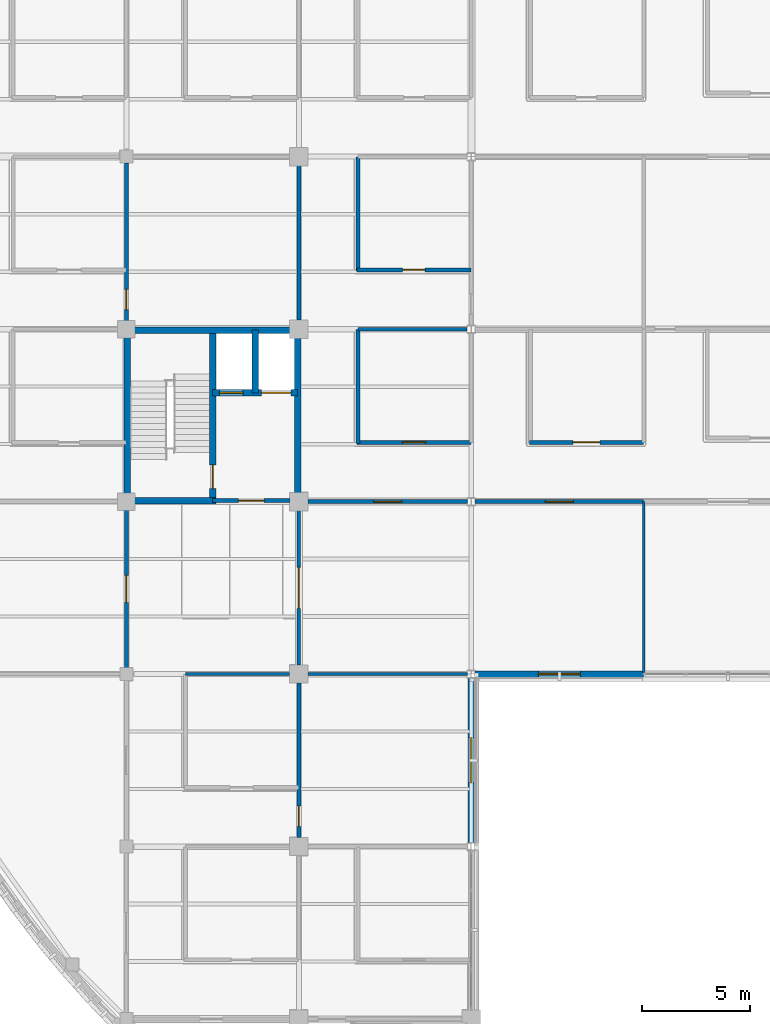
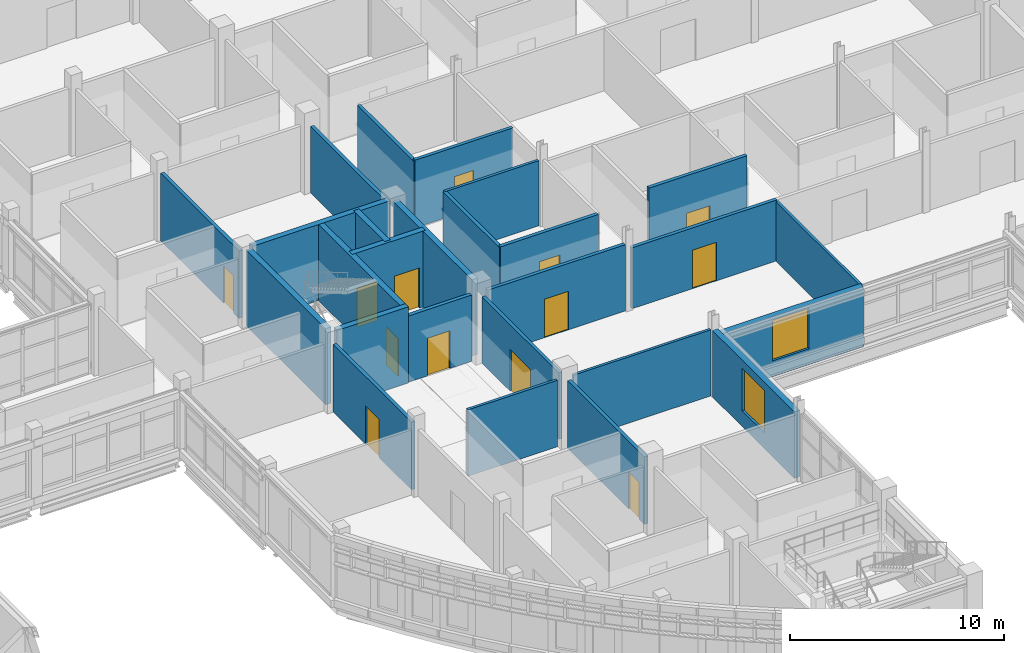
# One storey, part 82 of 121: 26 walls, 13 doors, 2 windows, 15 openings.
"""IFC4 building model written with IfcOpenShell, lengths in metres."""

from ifc_helpers import new_model, si_unit, derived_unit, direction, frame, frame_2d, origin, place, context, subcontext, project, spatial, rectangle, extrude, material, layer, layer_set, type_object, element, fill, save


model = new_model("IFC4")

# Units and contexts
model_context = context("Model", 3, precision=1e-05, world=origin(), true_north=direction((0.0, 1.0)))
body_context = subcontext(model_context, "Body", "Model", "MODEL_VIEW")
ifc_project = project(units=[si_unit("LENGTHUNIT", "METRE"), si_unit("AREAUNIT", "SQUARE_METRE"), si_unit("VOLUMEUNIT", "CUBIC_METRE"), si_unit("PLANEANGLEUNIT", "RADIAN"), si_unit("MASSUNIT", "GRAM", prefix="KILO"), derived_unit("THERMALTRANSMITTANCEUNIT", [(si_unit("MASSUNIT", "GRAM", prefix="KILO"), 1), (si_unit("TIMEUNIT", "SECOND"), -3), (si_unit("THERMODYNAMICTEMPERATUREUNIT", "KELVIN"), -1)])], contexts=[model_context])

# Site, building, storey
site_placement = place(None, origin())
site = spatial("IfcSite", under=ifc_project, at=site_placement, CompositionType="ELEMENT")
building_placement = place(site_placement, origin())
building = spatial("IfcBuilding", under=site, at=building_placement, Name="Veyamyaing Civic Hall", CompositionType="ELEMENT")
storey_placement = place(building_placement, frame((0.0, 0.0, 5.280029296875)))
storey = spatial("IfcBuildingStorey", under=building, at=storey_placement, Name="L01", CompositionType="ELEMENT", Elevation=5.280029296875)

# Wall, opening, window
ifc_material_1 = material(Name="Precast concrete C40/50", Category="concrete")
ifc_layer_1 = layer(ifc_material_1, 0.304931640625, Name="Precast concrete C40/50")
ifc_layer_set_1 = layer_set([ifc_layer_1], Name="Precast concrete C40/50")
wall_type_1 = type_object("IfcWallType", Name="WT-03", PredefinedType="SOLIDWALL", material=ifc_layer_set_1)
wall_1_placement = place(storey_placement, frame((80.0, 32.1708984375, 0.0), z_axis=(0.0, 0.0, 1.0), x_axis=(0.0, 1.0, 0.0)))
wall_1 = element("IfcWall", 1, at=wall_1_placement, inside=storey, type_object=wall_type_1, Name="Exterior facade wall WT-03 L01 E 10.5", PredefinedType="SOLIDWALL", context=body_context, shape_type="SweptSolid", body=[
    extrude(rectangle(XDim=7.658203125, YDim=0.304931640625, at=frame_2d((3.8291015625, 0.0))), origin(), (0.0, 0.0, 1.0), 3.7880859375),
])
opening_1_placement = place(wall_1_placement, frame((2.779052734375, 0.0, 0.89990234375)))
opening_1 = element("IfcOpeningElement", 2, at=opening_1_placement, cuts=wall_1, Name="Opening W-05", PredefinedType="OPENING", context=body_context, shape_type="SweptSolid", body=[
    extrude(rectangle(XDim=2.10009765625, YDim=2.39990234375, at=frame_2d((1.050048828125, 1.199951171875))), frame((0.0, 0.162353515625, 0.0), z_axis=(0.0, -1.0, 0.0), x_axis=(1.0, 0.0, 0.0)), (0.0, 0.0, 1.0), 0.324951171875),
])
ifc_material_2 = material(Name="Low-E insulated glass", Category="glass")
window_type_1 = type_object("IfcWindowType", Name="W-05", PartitioningType="SINGLE_PANEL", PredefinedType="WINDOW", material=ifc_material_2)
window_1_placement = place(opening_1_placement, origin())
window_1 = element("IfcWindow", 3, at=window_1_placement, inside=storey, type_object=window_type_1, Name="Facade window W-05 L01 E 10.5", OverallHeight=2.39990234375, OverallWidth=2.10009765625, PartitioningType="SINGLE_PANEL", PredefinedType="WINDOW", context=body_context, shape_type="SweptSolid", body=[
    extrude(rectangle(XDim=2.10009765625, YDim=2.39990234375, at=frame_2d((1.050048828125, 1.199951171875))), frame((0.0, 0.030029296875, 0.0), z_axis=(0.0, -1.0, 0.0), x_axis=(1.0, 0.0, 0.0)), (0.0, 0.0, 1.0), 0.06005859375),
])
fill(opening_1, window_1)

wall_2_placement = place(storey_placement, frame((80.172119140625, 40.0, 0.0), z_axis=(0.0, 0.0, 1.0), x_axis=(1.0, 0.0, 0.0)))
wall_2 = element("IfcWall", 4, at=wall_2_placement, inside=storey, type_object=wall_type_1, Name="Exterior facade wall WT-03 L01 S 11.6", PredefinedType="SOLIDWALL", context=body_context, shape_type="SweptSolid", body=[
    extrude(rectangle(XDim=7.827880859375, YDim=0.304931640625, at=frame_2d((3.9140625, 0.0))), origin(), (0.0, 0.0, 1.0), 3.404052734375),
])
opening_2_placement = place(wall_2_placement, frame((2.93896484375, 0.0, 0.89990234375)))
opening_2 = element("IfcOpeningElement", 5, at=opening_2_placement, cuts=wall_2, Name="Opening W-33", PredefinedType="OPENING", context=body_context, shape_type="SweptSolid", body=[
    extrude(rectangle(XDim=1.949951171875, YDim=2.303955078125, at=frame_2d((0.97509765625, 1.15185546875))), frame((0.0, 0.162353515625, 0.0), z_axis=(0.0, -1.0, 0.0), x_axis=(1.0, 0.0, 0.0)), (0.0, 0.0, 1.0), 0.324951171875),
])
window_type_2 = type_object("IfcWindowType", Name="W-33", PartitioningType="SINGLE_PANEL", PredefinedType="WINDOW", material=ifc_material_2)
window_2_placement = place(opening_2_placement, origin())
window_2 = element("IfcWindow", 6, at=window_2_placement, inside=storey, type_object=window_type_2, Name="Facade window W-33 L01 S 11.6", OverallHeight=2.303955078125, OverallWidth=1.949951171875, PartitioningType="SINGLE_PANEL", PredefinedType="WINDOW", context=body_context, shape_type="SweptSolid", body=[
    extrude(rectangle(XDim=1.949951171875, YDim=2.303955078125, at=frame_2d((0.97509765625, 1.15185546875))), frame((0.0, 0.030029296875, 0.0), z_axis=(0.0, -1.0, 0.0), x_axis=(1.0, 0.0, 0.0)), (0.0, 0.0, 1.0), 0.06005859375),
])
fill(opening_2, window_2)

# Walls
ifc_material_3 = material(Name="Concrete C40/50", Category="concrete")
ifc_layer_2 = layer(ifc_material_3, 0.300048828125, Name="Concrete C40/50")
ifc_layer_set_2 = layer_set([ifc_layer_2], Name="Concrete C40/50")
wall_type_2 = type_object("IfcWallType", Name="WT-05", PredefinedType="SHEAR", material=ifc_layer_set_2)
wall_3_placement = place(storey_placement, frame((64.050048828125, 48.2900390625, 0.0), z_axis=(0.0, 0.0, 1.0), x_axis=(0.0, 1.0, 0.0)))
element("IfcWall", 7, at=wall_3_placement, inside=storey, type_object=wall_type_2, Name="Core shear wall WT-05 CORE-5 L01.W", PredefinedType="SHEAR", context=body_context, shape_type="SweptSolid", body=[
    extrude(rectangle(XDim=7.419921875, YDim=0.300048828125, at=frame_2d((3.7099609375, 0.0))), origin(), (0.0, 0.0, 1.0), 4.3349609375),
])
wall_4_placement = place(storey_placement, frame((64.2900390625, 55.949951171875, 0.0), z_axis=(0.0, 0.0, 1.0), x_axis=(1.0, 0.0, 0.0)))
element("IfcWall", 8, at=wall_4_placement, inside=storey, type_object=wall_type_2, Name="Core shear wall WT-05 CORE-5 L01.N", PredefinedType="SHEAR", context=body_context, shape_type="SweptSolid", body=[
    extrude(rectangle(XDim=7.39501953125, YDim=0.300048828125, at=frame_2d((3.697509765625, 0.0))), origin(), (0.0, 0.0, 1.0), 4.3349609375),
])
wall_5_placement = place(storey_placement, frame((71.949951171875, 48.31494140625, 0.0), z_axis=(0.0, 0.0, 1.0), x_axis=(0.0, 1.0, 0.0)))
element("IfcWall", 9, at=wall_5_placement, inside=storey, type_object=wall_type_2, Name="Core shear wall WT-05 CORE-5 L01.E", PredefinedType="SHEAR", context=body_context, shape_type="SweptSolid", body=[
    extrude(rectangle(XDim=7.3701171875, YDim=0.300048828125, at=frame_2d((3.68505859375, 0.0))), origin(), (0.0, 0.0, 1.0), 4.3349609375),
])
wall_6_placement = place(storey_placement, frame((64.2900390625, 48.050048828125, 0.0), z_axis=(0.0, 0.0, 1.0), x_axis=(1.0, 0.0, 0.0)))
element("IfcWall", 10, at=wall_6_placement, inside=storey, type_object=wall_type_2, Name="Core shear wall WT-05 CORE-5 L01.SS", PredefinedType="SHEAR", context=body_context, shape_type="SweptSolid", body=[
    extrude(rectangle(XDim=3.85986328125, YDim=0.300048828125, at=frame_2d((1.929931640625, 0.0))), origin(), (0.0, 0.0, 1.0), 4.3349609375),
])

# Wall, opening, door
wall_7_placement = place(storey_placement, frame((68.0, 48.050048828125, 0.0), z_axis=(0.0, 0.0, 1.0), x_axis=(0.0, 1.0, 0.0)))
wall_7 = element("IfcWall", 11, at=wall_7_placement, inside=storey, type_object=wall_type_2, Name="Core shear wall WT-05 CORE-5 L01.MID", PredefinedType="SHEAR", context=body_context, shape_type="SweptSolid", body=[
    extrude(rectangle(XDim=7.89990234375, YDim=0.300048828125, at=frame_2d((3.949951171875, 0.0))), origin(), (0.0, 0.0, 1.0), 4.3349609375),
])
opening_3_placement = place(wall_7_placement, frame((0.550048828125, 0.0, 0.0)))
opening_3 = element("IfcOpeningElement", 12, at=opening_3_placement, cuts=wall_7, Name="Opening D-03", PredefinedType="OPENING", context=body_context, shape_type="SweptSolid", body=[
    extrude(rectangle(XDim=1.10009765625, YDim=2.14990234375, at=frame_2d((0.550048828125, 1.074951171875))), frame((0.0, 0.159912109375, 0.0), z_axis=(0.0, -1.0, 0.0), x_axis=(1.0, 0.0, 0.0)), (0.0, 0.0, 1.0), 0.320068359375),
])
ifc_material_4 = material(Name="Galvanized steel S355J2", Category="steel")
door_type_1 = type_object("IfcDoorType", Name="D-03", OperationType="NOTDEFINED", PredefinedType="DOOR", material=ifc_material_4)
door_1_placement = place(opening_3_placement, origin())
door_1 = element("IfcDoor", 13, at=door_1_placement, inside=storey, type_object=door_type_1, Name="Exit stair fire door D-03 ST-05 L01", OperationType="SINGLE_SWING_LEFT", OverallHeight=2.14990234375, OverallWidth=1.10009765625, PredefinedType="DOOR", context=body_context, shape_type="SweptSolid", body=[
    extrude(rectangle(XDim=1.10009765625, YDim=2.14990234375, at=frame_2d((0.550048828125, 1.074951171875))), frame((0.0, 0.02490234375, 0.0), z_axis=(0.0, -1.0, 0.0), x_axis=(1.0, 0.0, 0.0)), (0.0, 0.0, 1.0), 0.050048828125),
])
fill(opening_3, door_1)

# Wall, openings, doors
wall_8_placement = place(storey_placement, frame((68.0, 53.050048828125, 0.0), z_axis=(0.0, 0.0, 1.0), x_axis=(1.0, 0.0, 0.0)))
wall_8 = element("IfcWall", 14, at=wall_8_placement, inside=storey, type_object=wall_type_2, Name="Core shear wall WT-05 CORE-5 L01.LFT", PredefinedType="SHEAR", context=body_context, shape_type="SweptSolid", body=[
    extrude(rectangle(XDim=3.949951171875, YDim=0.300048828125, at=frame_2d((1.97509765625, 0.0))), origin(), (0.0, 0.0, 1.0), 4.3349609375),
])
opening_4_placement = place(wall_8_placement, frame((0.320068359375, 0.0, 0.0)))
opening_4 = element("IfcOpeningElement", 15, at=opening_4_placement, cuts=wall_8, Name="Opening LD-01", PredefinedType="OPENING", context=body_context, shape_type="SweptSolid", body=[
    extrude(rectangle(XDim=1.10009765625, YDim=2.199951171875, at=frame_2d((0.550048828125, 1.10009765625))), frame((0.0, 0.159912109375, 0.0), z_axis=(0.0, -1.0, 0.0), x_axis=(1.0, 0.0, 0.0)), (0.0, 0.0, 1.0), 0.320068359375),
])
opening_5_placement = place(wall_8_placement, frame((2.280029296875, 0.0, 0.0)))
opening_5 = element("IfcOpeningElement", 16, at=opening_5_placement, cuts=wall_8, Name="Opening LD-03", PredefinedType="OPENING", context=body_context, shape_type="SweptSolid", body=[
    extrude(rectangle(XDim=1.35009765625, YDim=2.300048828125, at=frame_2d((0.675048828125, 1.14990234375))), frame((0.0, 0.159912109375, 0.0), z_axis=(0.0, -1.0, 0.0), x_axis=(1.0, 0.0, 0.0)), (0.0, 0.0, 1.0), 0.320068359375),
])
ifc_material_5 = material(Name="Anodised aluminium 6063-T6", Category="aluminium")
door_type_2 = type_object("IfcDoorType", Name="LD-01", OperationType="SLIDING_TO_LEFT", PredefinedType="DOOR", material=ifc_material_5)
door_2_placement = place(opening_4_placement, origin())
door_2 = element("IfcDoor", 17, at=door_2_placement, inside=storey, type_object=door_type_2, Name="Lift sliding landing door LD-01 PL-03 L01", OperationType="SLIDING_TO_LEFT", OverallHeight=2.199951171875, OverallWidth=1.10009765625, PredefinedType="DOOR", context=body_context, shape_type="SweptSolid", body=[
    extrude(rectangle(XDim=1.10009765625, YDim=2.199951171875, at=frame_2d((0.550048828125, 1.10009765625))), frame((0.0, 0.02490234375, 0.0), z_axis=(0.0, -1.0, 0.0), x_axis=(1.0, 0.0, 0.0)), (0.0, 0.0, 1.0), 0.050048828125),
])
fill(opening_4, door_2)
door_type_3 = type_object("IfcDoorType", Name="LD-03", OperationType="DOUBLE_DOOR_SLIDING", PredefinedType="DOOR", material=ifc_material_4)
door_3_placement = place(opening_5_placement, origin())
door_3 = element("IfcDoor", 18, at=door_3_placement, inside=storey, type_object=door_type_3, Name="Lift sliding landing door LD-03 GL-01 L01", OperationType="DOUBLE_DOOR_SLIDING", OverallHeight=2.300048828125, OverallWidth=1.35009765625, PredefinedType="DOOR", context=body_context, shape_type="SweptSolid", body=[
    extrude(rectangle(XDim=1.35009765625, YDim=2.300048828125, at=frame_2d((0.675048828125, 1.14990234375))), frame((0.0, 0.02490234375, 0.0), z_axis=(0.0, -1.0, 0.0), x_axis=(1.0, 0.0, 0.0)), (0.0, 0.0, 1.0), 0.050048828125),
])
fill(opening_5, door_3)

# Wall
wall_9_placement = place(storey_placement, frame((69.97998046875, 53.050048828125, 0.0), z_axis=(0.0, 0.0, 1.0), x_axis=(0.0, 1.0, 0.0)))
element("IfcWall", 19, at=wall_9_placement, inside=storey, type_object=wall_type_2, Name="Core shear wall WT-05 CORE-5 L01.LDIV", PredefinedType="SHEAR", context=body_context, shape_type="SweptSolid", body=[
    extrude(rectangle(XDim=2.89990234375, YDim=0.300048828125, at=frame_2d((1.449951171875, 0.0))), origin(), (0.0, 0.0, 1.0), 4.3349609375),
])

# Wall, opening, door
ifc_layer_3 = layer(ifc_material_3, 0.199951171875, Name="Concrete C40/50")
ifc_layer_set_3 = layer_set([ifc_layer_3], Name="Concrete C40/50")
wall_type_3 = type_object("IfcWallType", Name="WT-06", PredefinedType="PARTITIONING", material=ifc_layer_set_3)
wall_10_placement = place(storey_placement, frame((68.0, 48.050048828125, 0.0), z_axis=(0.0, 0.0, 1.0), x_axis=(1.0, 0.0, 0.0)))
wall_10 = element("IfcWall", 20, at=wall_10_placement, inside=storey, type_object=wall_type_3, Name="Firefighting lift lobby wall WT-06 CORE-5 L01", PredefinedType="PARTITIONING", context=body_context, shape_type="SweptSolid", body=[
    extrude(rectangle(XDim=3.5849609375, YDim=0.199951171875, at=frame_2d((1.79248046875, 0.0))), origin(), (0.0, 0.0, 1.0), 3.77099609375),
])
opening_6_placement = place(wall_10_placement, frame((1.1923828125, 0.0, 0.0)))
opening_6 = element("IfcOpeningElement", 21, at=opening_6_placement, cuts=wall_10, Name="Opening D-04", PredefinedType="OPENING", context=body_context, shape_type="SweptSolid", body=[
    extrude(rectangle(XDim=1.199951171875, YDim=2.14990234375, at=frame_2d((0.60009765625, 1.074951171875))), frame((0.0, 0.10986328125, 0.0), z_axis=(0.0, -1.0, 0.0), x_axis=(1.0, 0.0, 0.0)), (0.0, 0.0, 1.0), 0.219970703125),
])
door_type_4 = type_object("IfcDoorType", Name="D-04", OperationType="NOTDEFINED", PredefinedType="DOOR", material=ifc_material_4)
door_4_placement = place(opening_6_placement, frame((1.199951171875, 0.0, 0.0), z_axis=(0.0, 0.0, 1.0), x_axis=(-1.0, 0.0, 0.0)))
door_4 = element("IfcDoor", 22, at=door_4_placement, inside=storey, type_object=door_type_4, Name="Protected lobby fire door D-04 CORE-5 L01", OperationType="SINGLE_SWING_RIGHT", OverallHeight=2.14990234375, OverallWidth=1.199951171875, PredefinedType="DOOR", context=body_context, shape_type="SweptSolid", body=[
    extrude(rectangle(XDim=1.199951171875, YDim=2.14990234375, at=frame_2d((0.60009765625, 1.074951171875))), frame((0.0, 0.02490234375, 0.0), z_axis=(0.0, -1.0, 0.0), x_axis=(1.0, 0.0, 0.0)), (0.0, 0.0, 1.0), 0.050048828125),
])
fill(opening_6, door_4)

ifc_material_6 = material(Name="Gypsum board on acoustic steel stud", Category="steel")
ifc_layer_4 = layer(ifc_material_6, 0.175048828125, Name="Gypsum board on acoustic steel stud")
ifc_layer_set_4 = layer_set([ifc_layer_4], Name="Gypsum board on acoustic steel stud")
wall_type_4 = type_object("IfcWallType", Name="WT-07", PredefinedType="PARTITIONING", material=ifc_layer_set_4)
wall_11_placement = place(storey_placement, frame((74.699951171875, 58.75, 0.0), z_axis=(0.0, 0.0, 1.0), x_axis=(1.0, 0.0, 0.0)))
wall_11 = element("IfcWall", 23, at=wall_11_placement, inside=storey, type_object=wall_type_4, Name="Corridor gallery partition WT-07 L01.43.1", PredefinedType="PARTITIONING", context=body_context, shape_type="SweptSolid", body=[
    extrude(rectangle(XDim=5.280029296875, YDim=0.175048828125, at=frame_2d((2.64013671875, 0.0))), origin(), (0.0, 0.0, 1.0), 3.85693359375),
])
opening_7_placement = place(wall_11_placement, frame((2.1201171875, 0.0, 0.0)))
opening_7 = element("IfcOpeningElement", 24, at=opening_7_placement, cuts=wall_11, Name="Opening D-24", PredefinedType="OPENING", context=body_context, shape_type="SweptSolid", body=[
    extrude(rectangle(XDim=1.0400390625, YDim=2.179931640625, at=frame_2d((0.52001953125, 1.08984375))), frame((0.0, 0.097412109375, 0.0), z_axis=(0.0, -1.0, 0.0), x_axis=(1.0, 0.0, 0.0)), (0.0, 0.0, 1.0), 0.195068359375),
])
ifc_material_7 = material(Name="Teak-veneered acoustic timber", Category="wood")
door_type_5 = type_object("IfcDoorType", Name="D-24", OperationType="NOTDEFINED", PredefinedType="DOOR", material=ifc_material_7)
door_5_placement = place(opening_7_placement, origin())
door_5 = element("IfcDoor", 25, at=door_5_placement, inside=storey, type_object=door_type_5, Name="Gallery office door D-24 L01.43", OperationType="SINGLE_SWING_LEFT", OverallHeight=2.179931640625, OverallWidth=1.0400390625, PredefinedType="DOOR", context=body_context, shape_type="SweptSolid", body=[
    extrude(rectangle(XDim=1.0400390625, YDim=2.179931640625, at=frame_2d((0.52001953125, 1.08984375))), frame((0.0, 0.02490234375, 0.0), z_axis=(0.0, -1.0, 0.0), x_axis=(1.0, 0.0, 0.0)), (0.0, 0.0, 1.0), 0.050048828125),
])
fill(opening_7, door_5)

# Wall
wall_12_placement = place(storey_placement, frame((74.75, 58.699951171875, 0.0), z_axis=(0.0, 0.0, 1.0), x_axis=(0.0, 1.0, 0.0)))
element("IfcWall", 26, at=wall_12_placement, inside=storey, type_object=wall_type_4, Name="Corridor gallery partition WT-07 L01.43.2", PredefinedType="PARTITIONING", context=body_context, shape_type="SweptSolid", body=[
    extrude(rectangle(XDim=5.280029296875, YDim=0.175048828125, at=frame_2d((2.64013671875, 0.0))), origin(), (0.0, 0.0, 1.0), 3.786865234375),
])

# Wall, opening, door
wall_13_placement = place(storey_placement, frame((72.0, 40.4150390625, 0.0), z_axis=(0.0, 0.0, 1.0), x_axis=(0.0, 1.0, 0.0)))
wall_13 = element("IfcWall", 27, at=wall_13_placement, inside=storey, type_object=wall_type_4, Name="Interior partition wall WT-07 L01.35", PredefinedType="PARTITIONING", context=body_context, shape_type="SweptSolid", body=[
    extrude(rectangle(XDim=7.169921875, YDim=0.175048828125, at=frame_2d((3.5849609375, 0.0))), origin(), (0.0, 0.0, 1.0), 3.781005859375),
])
opening_8_placement = place(wall_13_placement, frame((2.635009765625, 0.0, 0.0)))
opening_8 = element("IfcOpeningElement", 28, at=opening_8_placement, cuts=wall_13, Name="Opening D-31", PredefinedType="OPENING", context=body_context, shape_type="SweptSolid", body=[
    extrude(rectangle(XDim=1.89990234375, YDim=2.3798828125, at=frame_2d((0.949951171875, 1.18994140625))), frame((0.0, 0.097412109375, 0.0), z_axis=(0.0, -1.0, 0.0), x_axis=(1.0, 0.0, 0.0)), (0.0, 0.0, 1.0), 0.195068359375),
])
door_type_6 = type_object("IfcDoorType", Name="D-31", OperationType="DOUBLE_DOOR_SINGLE_SWING", PredefinedType="DOOR", material=ifc_material_7)
door_6_placement = place(opening_8_placement, frame((1.89990234375, 0.0, 0.0), z_axis=(0.0, 0.0, 1.0), x_axis=(-1.0, 0.0, 0.0)))
door_6 = element("IfcDoor", 29, at=door_6_placement, inside=storey, type_object=door_type_6, Name="Interior door D-31 L01.35", OperationType="DOUBLE_DOOR_SINGLE_SWING", OverallHeight=2.3798828125, OverallWidth=1.89990234375, PredefinedType="DOOR", context=body_context, shape_type="SweptSolid", body=[
    extrude(rectangle(XDim=1.89990234375, YDim=2.3798828125, at=frame_2d((0.949951171875, 1.18994140625))), frame((0.0, 0.02490234375, 0.0), z_axis=(0.0, -1.0, 0.0), x_axis=(1.0, 0.0, 0.0)), (0.0, 0.0, 1.0), 0.050048828125),
])
fill(opening_8, door_6)

# Walls
ifc_material_8 = material(Name="Gypsum board on steel stud", Category="steel")
ifc_layer_5 = layer(ifc_material_8, 0.14990234375, Name="Gypsum board on steel stud")
ifc_layer_set_5 = layer_set([ifc_layer_5], Name="Gypsum board on steel stud")
wall_type_5 = type_object("IfcWallType", Name="WT-08", PredefinedType="PARTITIONING", material=ifc_layer_set_5)
wall_14_placement = place(storey_placement, frame((66.75, 40.0, 0.0), z_axis=(0.0, 0.0, 1.0), x_axis=(1.0, 0.0, 0.0)))
element("IfcWall", 30, at=wall_14_placement, inside=storey, type_object=wall_type_5, Name="Gallery office end partition WT-08 L01.38.1", PredefinedType="PARTITIONING", context=body_context, shape_type="SweptSolid", body=[
    extrude(rectangle(XDim=4.81494140625, YDim=0.14990234375, at=frame_2d((2.407470703125, 0.0))), origin(), (0.0, 0.0, 1.0), 3.786865234375),
])
wall_15_placement = place(storey_placement, frame((74.75, 56.0, 0.0), z_axis=(0.0, 0.0, 1.0), x_axis=(1.0, 0.0, 0.0)))
element("IfcWall", 31, at=wall_15_placement, inside=storey, type_object=wall_type_5, Name="Gallery office end partition WT-08 L01.42.1", PredefinedType="PARTITIONING", context=body_context, shape_type="SweptSolid", body=[
    extrude(rectangle(XDim=5.052978515625, YDim=0.14990234375, at=frame_2d((2.5263671875, 0.0))), origin(), (0.0, 0.0, 1.0), 3.7119140625),
])
ifc_layer_6 = layer(ifc_material_8, 0.135009765625, Name="Gypsum board on steel stud")
ifc_layer_set_6 = layer_set([ifc_layer_6], Name="Gypsum board on steel stud")
wall_type_6 = type_object("IfcWallType", Name="WT-15", PredefinedType="PARTITIONING", material=ifc_layer_set_6)
wall_16_placement = place(storey_placement, frame((88.0, 40.0, 0.0), z_axis=(0.0, 0.0, 1.0), x_axis=(0.0, 1.0, 0.0)))
element("IfcWall", 32, at=wall_16_placement, inside=storey, type_object=wall_type_6, Name="Interior partition wall WT-15 L01.51", PredefinedType="PARTITIONING", context=body_context, shape_type="SweptSolid", body=[
    extrude(rectangle(XDim=8.0, YDim=0.135009765625, at=frame_2d((4.0, 0.0))), origin(), (0.0, 0.0, 1.0), 3.39697265625),
])

# Wall, opening, door
ifc_material_9 = material(Name="Gypsum board on double acoustic stud")
ifc_layer_7 = layer(ifc_material_9, 0.18505859375, Name="Gypsum board on double acoustic stud")
ifc_layer_set_7 = layer_set([ifc_layer_7], Name="Gypsum board on double acoustic stud")
wall_type_7 = type_object("IfcWallType", Name="WT-19", PredefinedType="PARTITIONING", material=ifc_layer_set_7)
wall_17_placement = place(storey_placement, frame((74.699951171875, 50.75, 0.0), z_axis=(0.0, 0.0, 1.0), x_axis=(1.0, 0.0, 0.0)))
wall_17 = element("IfcWall", 33, at=wall_17_placement, inside=storey, type_object=wall_type_7, Name="Corridor gallery partition WT-19 L01.42.1", PredefinedType="PARTITIONING", context=body_context, shape_type="SweptSolid", body=[
    extrude(rectangle(XDim=5.280029296875, YDim=0.18505859375, at=frame_2d((2.64013671875, 0.0))), origin(), (0.0, 0.0, 1.0), 3.786865234375),
])
opening_9_placement = place(wall_17_placement, frame((2.10009765625, 0.0, 0.0)))
opening_9 = element("IfcOpeningElement", 34, at=opening_9_placement, cuts=wall_17, Name="Opening D-23", PredefinedType="OPENING", context=body_context, shape_type="SweptSolid", body=[
    extrude(rectangle(XDim=1.080078125, YDim=2.199951171875, at=frame_2d((0.5400390625, 1.10009765625))), frame((0.0, 0.1025390625, 0.0), z_axis=(0.0, -1.0, 0.0), x_axis=(1.0, 0.0, 0.0)), (0.0, 0.0, 1.0), 0.205078125),
])
door_type_7 = type_object("IfcDoorType", Name="D-23", OperationType="NOTDEFINED", PredefinedType="DOOR", material=ifc_material_7)
door_7_placement = place(opening_9_placement, origin())
door_7 = element("IfcDoor", 35, at=door_7_placement, inside=storey, type_object=door_type_7, Name="Gallery office door D-23 L01.42", OperationType="SINGLE_SWING_RIGHT", OverallHeight=2.199951171875, OverallWidth=1.080078125, PredefinedType="DOOR", context=body_context, shape_type="SweptSolid", body=[
    extrude(rectangle(XDim=1.080078125, YDim=2.199951171875, at=frame_2d((0.5400390625, 1.10009765625))), frame((0.0, 0.02490234375, 0.0), z_axis=(0.0, -1.0, 0.0), x_axis=(1.0, 0.0, 0.0)), (0.0, 0.0, 1.0), 0.050048828125),
])
fill(opening_9, door_7)

# Wall
wall_18_placement = place(storey_placement, frame((74.75, 50.699951171875, 0.0), z_axis=(0.0, 0.0, 1.0), x_axis=(0.0, 1.0, 0.0)))
element("IfcWall", 36, at=wall_18_placement, inside=storey, type_object=wall_type_7, Name="Corridor gallery partition WT-19 L01.42.2", PredefinedType="PARTITIONING", context=body_context, shape_type="SweptSolid", body=[
    extrude(rectangle(XDim=5.280029296875, YDim=0.18505859375, at=frame_2d((2.64013671875, 0.0))), origin(), (0.0, 0.0, 1.0), 3.7119140625),
])

# Wall, opening, door
wall_19_placement = place(storey_placement, frame((82.699951171875, 50.75, 0.0), z_axis=(0.0, 0.0, 1.0), x_axis=(1.0, 0.0, 0.0)))
wall_19 = element("IfcWall", 37, at=wall_19_placement, inside=storey, type_object=wall_type_7, Name="Corridor gallery partition WT-19 L01.46.1", PredefinedType="PARTITIONING", context=body_context, shape_type="SweptSolid", body=[
    extrude(rectangle(XDim=5.280029296875, YDim=0.18505859375, at=frame_2d((2.64013671875, 0.0))), origin(), (0.0, 0.0, 1.0), 4.324951171875),
])
opening_10_placement = place(wall_19_placement, frame((2.014892578125, 0.0, 0.0)))
opening_10 = element("IfcOpeningElement", 38, at=opening_10_placement, cuts=wall_19, Name="Opening D-29", PredefinedType="OPENING", context=body_context, shape_type="SweptSolid", body=[
    extrude(rectangle(XDim=1.25, YDim=2.179931640625, at=frame_2d((0.625, 1.08984375))), frame((0.0, 0.1025390625, 0.0), z_axis=(0.0, -1.0, 0.0), x_axis=(1.0, 0.0, 0.0)), (0.0, 0.0, 1.0), 0.205078125),
])
door_type_8 = type_object("IfcDoorType", Name="D-29", OperationType="NOTDEFINED", PredefinedType="DOOR", material=ifc_material_7)
door_8_placement = place(opening_10_placement, origin())
door_8 = element("IfcDoor", 39, at=door_8_placement, inside=storey, type_object=door_type_8, Name="Gallery office door D-29 L01.46", OperationType="SINGLE_SWING_RIGHT", OverallHeight=2.179931640625, OverallWidth=1.25, PredefinedType="DOOR", context=body_context, shape_type="SweptSolid", body=[
    extrude(rectangle(XDim=1.25, YDim=2.179931640625, at=frame_2d((0.625, 1.08984375))), frame((0.0, 0.02490234375, 0.0), z_axis=(0.0, -1.0, 0.0), x_axis=(1.0, 0.0, 0.0)), (0.0, 0.0, 1.0), 0.050048828125),
])
fill(opening_10, door_8)

wall_20_placement = place(storey_placement, frame((64.0, 40.2900390625, 0.0), z_axis=(0.0, 0.0, 1.0), x_axis=(0.0, 1.0, 0.0)))
wall_20 = element("IfcWall", 40, at=wall_20_placement, inside=storey, type_object=wall_type_7, Name="Interior partition wall WT-19 L01.26", PredefinedType="PARTITIONING", context=body_context, shape_type="SweptSolid", body=[
    extrude(rectangle(XDim=7.320068359375, YDim=0.18505859375, at=frame_2d((3.66015625, 0.0))), origin(), (0.0, 0.0, 1.0), 3.85693359375),
])
opening_11_placement = place(wall_20_placement, frame((3.034912109375, 0.0, 0.0)))
opening_11 = element("IfcOpeningElement", 41, at=opening_11_placement, cuts=wall_20, Name="Opening D-29", PredefinedType="OPENING", context=body_context, shape_type="SweptSolid", body=[
    extrude(rectangle(XDim=1.25, YDim=2.179931640625, at=frame_2d((0.625, 1.08984375))), frame((0.0, 0.1025390625, 0.0), z_axis=(0.0, -1.0, 0.0), x_axis=(1.0, 0.0, 0.0)), (0.0, 0.0, 1.0), 0.205078125),
])
door_9_placement = place(opening_11_placement, origin())
door_9 = element("IfcDoor", 42, at=door_9_placement, inside=storey, type_object=door_type_8, Name="Interior door D-29 L01.26", OperationType="SINGLE_SWING_RIGHT", OverallHeight=2.179931640625, OverallWidth=1.25, PredefinedType="DOOR", context=body_context, shape_type="SweptSolid", body=[
    extrude(rectangle(XDim=1.25, YDim=2.179931640625, at=frame_2d((0.625, 1.08984375))), frame((0.0, 0.02490234375, 0.0), z_axis=(0.0, -1.0, 0.0), x_axis=(1.0, 0.0, 0.0)), (0.0, 0.0, 1.0), 0.050048828125),
])
fill(opening_11, door_9)

wall_21_placement = place(storey_placement, frame((64.0, 56.389892578125, 0.0), z_axis=(0.0, 0.0, 1.0), x_axis=(0.0, 1.0, 0.0)))
wall_21 = element("IfcWall", 43, at=wall_21_placement, inside=storey, type_object=wall_type_7, Name="Interior partition wall WT-19 L01.28", PredefinedType="PARTITIONING", context=body_context, shape_type="SweptSolid", body=[
    extrude(rectangle(XDim=7.320068359375, YDim=0.18505859375, at=frame_2d((3.66015625, 0.0))), origin(), (0.0, 0.0, 1.0), 3.85107421875),
])
opening_12_placement = place(wall_21_placement, frame((0.52001953125, 0.0, 0.0)))
opening_12 = element("IfcOpeningElement", 44, at=opening_12_placement, cuts=wall_21, Name="Opening D-30", PredefinedType="OPENING", context=body_context, shape_type="SweptSolid", body=[
    extrude(rectangle(XDim=0.93994140625, YDim=2.1201171875, at=frame_2d((0.469970703125, 1.06005859375))), frame((0.0, 0.1025390625, 0.0), z_axis=(0.0, -1.0, 0.0), x_axis=(1.0, 0.0, 0.0)), (0.0, 0.0, 1.0), 0.205078125),
])
door_type_9 = type_object("IfcDoorType", Name="D-30", OperationType="NOTDEFINED", PredefinedType="DOOR", material=ifc_material_7)
door_10_placement = place(opening_12_placement, frame((0.93994140625, 0.0, 0.0), z_axis=(0.0, 0.0, 1.0), x_axis=(-1.0, 0.0, 0.0)))
door_10 = element("IfcDoor", 45, at=door_10_placement, inside=storey, type_object=door_type_9, Name="Interior door D-30 L01.28", OperationType="SINGLE_SWING_LEFT", OverallHeight=2.1201171875, OverallWidth=0.93994140625, PredefinedType="DOOR", context=body_context, shape_type="SweptSolid", body=[
    extrude(rectangle(XDim=0.93994140625, YDim=2.1201171875, at=frame_2d((0.469970703125, 1.06005859375))), frame((0.0, 0.02490234375, 0.0), z_axis=(0.0, -1.0, 0.0), x_axis=(1.0, 0.0, 0.0)), (0.0, 0.0, 1.0), 0.050048828125),
])
fill(opening_12, door_10)

wall_22_placement = place(storey_placement, frame((72.0, 32.4150390625, 0.0), z_axis=(0.0, 0.0, 1.0), x_axis=(0.0, 1.0, 0.0)))
wall_22 = element("IfcWall", 46, at=wall_22_placement, inside=storey, type_object=wall_type_7, Name="Interior partition wall WT-19 L01.34", PredefinedType="PARTITIONING", context=body_context, shape_type="SweptSolid", body=[
    extrude(rectangle(XDim=7.169921875, YDim=0.18505859375, at=frame_2d((3.5849609375, 0.0))), origin(), (0.0, 0.0, 1.0), 3.85693359375),
])
opening_13_placement = place(wall_22_placement, frame((0.52001953125, 0.0, 0.0)))
opening_13 = element("IfcOpeningElement", 47, at=opening_13_placement, cuts=wall_22, Name="Opening D-30", PredefinedType="OPENING", context=body_context, shape_type="SweptSolid", body=[
    extrude(rectangle(XDim=0.93994140625, YDim=2.1201171875, at=frame_2d((0.469970703125, 1.06005859375))), frame((0.0, 0.1025390625, 0.0), z_axis=(0.0, -1.0, 0.0), x_axis=(1.0, 0.0, 0.0)), (0.0, 0.0, 1.0), 0.205078125),
])
door_11_placement = place(opening_13_placement, frame((0.93994140625, 0.0, 0.0), z_axis=(0.0, 0.0, 1.0), x_axis=(-1.0, 0.0, 0.0)))
door_11 = element("IfcDoor", 48, at=door_11_placement, inside=storey, type_object=door_type_9, Name="Interior door D-30 L01.34", OperationType="SINGLE_SWING_LEFT", OverallHeight=2.1201171875, OverallWidth=0.93994140625, PredefinedType="DOOR", context=body_context, shape_type="SweptSolid", body=[
    extrude(rectangle(XDim=0.93994140625, YDim=2.1201171875, at=frame_2d((0.469970703125, 1.06005859375))), frame((0.0, 0.02490234375, 0.0), z_axis=(0.0, -1.0, 0.0), x_axis=(1.0, 0.0, 0.0)), (0.0, 0.0, 1.0), 0.050048828125),
])
fill(opening_13, door_11)

# Wall
wall_23_placement = place(storey_placement, frame((72.0, 56.4150390625, 0.0), z_axis=(0.0, 0.0, 1.0), x_axis=(0.0, 1.0, 0.0)))
element("IfcWall", 49, at=wall_23_placement, inside=storey, type_object=wall_type_7, Name="Interior partition wall WT-19 L01.36", PredefinedType="PARTITIONING", context=body_context, shape_type="SweptSolid", body=[
    extrude(rectangle(XDim=7.169921875, YDim=0.18505859375, at=frame_2d((3.5849609375, 0.0))), origin(), (0.0, 0.0, 1.0), 3.786865234375),
])

# Wall, opening, door
wall_24_placement = place(storey_placement, frame((72.4150390625, 48.0, 0.0), z_axis=(0.0, 0.0, 1.0), x_axis=(1.0, 0.0, 0.0)))
wall_24 = element("IfcWall", 50, at=wall_24_placement, inside=storey, type_object=wall_type_7, Name="Interior partition wall WT-19 L01.46", PredefinedType="PARTITIONING", context=body_context, shape_type="SweptSolid", body=[
    extrude(rectangle(XDim=7.407958984375, YDim=0.18505859375, at=frame_2d((3.7041015625, 0.0))), origin(), (0.0, 0.0, 1.0), 3.781005859375),
])
opening_14_placement = place(wall_24_placement, frame((3.053955078125, 0.0, 0.0)))
opening_14 = element("IfcOpeningElement", 51, at=opening_14_placement, cuts=wall_24, Name="Opening D-18", PredefinedType="OPENING", context=body_context, shape_type="SweptSolid", body=[
    extrude(rectangle(XDim=1.300048828125, YDim=2.199951171875, at=frame_2d((0.64990234375, 1.10009765625))), frame((0.0, 0.1025390625, 0.0), z_axis=(0.0, -1.0, 0.0), x_axis=(1.0, 0.0, 0.0)), (0.0, 0.0, 1.0), 0.205078125),
])
door_type_10 = type_object("IfcDoorType", Name="D-18", OperationType="DOUBLE_DOOR_SINGLE_SWING", PredefinedType="DOOR", material=ifc_material_5)
door_12_placement = place(opening_14_placement, frame((1.300048828125, 0.0, 0.0), z_axis=(0.0, 0.0, 1.0), x_axis=(-1.0, 0.0, 0.0)))
door_12 = element("IfcDoor", 52, at=door_12_placement, inside=storey, type_object=door_type_10, Name="Interior door D-18 L01.46", OperationType="DOUBLE_DOOR_SINGLE_SWING", OverallHeight=2.199951171875, OverallWidth=1.300048828125, PredefinedType="DOOR", context=body_context, shape_type="SweptSolid", body=[
    extrude(rectangle(XDim=1.300048828125, YDim=2.199951171875, at=frame_2d((0.64990234375, 1.10009765625))), frame((0.0, 0.02490234375, 0.0), z_axis=(0.0, -1.0, 0.0), x_axis=(1.0, 0.0, 0.0)), (0.0, 0.0, 1.0), 0.050048828125),
])
fill(opening_14, door_12)

wall_25_placement = place(storey_placement, frame((80.177001953125, 48.0, 0.0), z_axis=(0.0, 0.0, 1.0), x_axis=(1.0, 0.0, 0.0)))
wall_25 = element("IfcWall", 53, at=wall_25_placement, inside=storey, type_object=wall_type_7, Name="Interior partition wall WT-19 L01.52", PredefinedType="PARTITIONING", context=body_context, shape_type="SweptSolid", body=[
    extrude(rectangle(XDim=7.822998046875, YDim=0.18505859375, at=frame_2d((3.91162109375, 0.0))), origin(), (0.0, 0.0, 1.0), 3.468994140625),
])
opening_15_placement = place(wall_25_placement, frame((3.261474609375, 0.0, 0.0)))
opening_15 = element("IfcOpeningElement", 54, at=opening_15_placement, cuts=wall_25, Name="Opening D-18", PredefinedType="OPENING", context=body_context, shape_type="SweptSolid", body=[
    extrude(rectangle(XDim=1.300048828125, YDim=2.199951171875, at=frame_2d((0.64990234375, 1.10009765625))), frame((0.0, 0.1025390625, 0.0), z_axis=(0.0, -1.0, 0.0), x_axis=(1.0, 0.0, 0.0)), (0.0, 0.0, 1.0), 0.205078125),
])
door_13_placement = place(opening_15_placement, frame((1.300048828125, 0.0, 0.0), z_axis=(0.0, 0.0, 1.0), x_axis=(-1.0, 0.0, 0.0)))
door_13 = element("IfcDoor", 55, at=door_13_placement, inside=storey, type_object=door_type_10, Name="Interior door D-18 L01.52", OperationType="DOUBLE_DOOR_SINGLE_SWING", OverallHeight=2.199951171875, OverallWidth=1.300048828125, PredefinedType="DOOR", context=body_context, shape_type="SweptSolid", body=[
    extrude(rectangle(XDim=1.300048828125, YDim=2.199951171875, at=frame_2d((0.64990234375, 1.10009765625))), frame((0.0, 0.02490234375, 0.0), z_axis=(0.0, -1.0, 0.0), x_axis=(1.0, 0.0, 0.0)), (0.0, 0.0, 1.0), 0.050048828125),
])
fill(opening_15, door_13)

# Wall
ifc_layer_8 = layer(ifc_material_8, 0.14208984375, Name="Gypsum board on steel stud")
ifc_layer_set_8 = layer_set([ifc_layer_8], Name="Gypsum board on steel stud")
wall_type_8 = type_object("IfcWallType", Name="WT-20", PredefinedType="PARTITIONING", material=ifc_layer_set_8)
wall_26_placement = place(storey_placement, frame((72.4150390625, 40.0, 0.0), z_axis=(0.0, 0.0, 1.0), x_axis=(1.0, 0.0, 0.0)))
element("IfcWall", 56, at=wall_26_placement, inside=storey, type_object=wall_type_8, Name="Interior partition wall WT-20 L01.45", PredefinedType="PARTITIONING", context=body_context, shape_type="SweptSolid", body=[
    extrude(rectangle(XDim=7.407958984375, YDim=0.14208984375, at=frame_2d((3.7041015625, 0.0))), origin(), (0.0, 0.0, 1.0), 3.77099609375),
])

save(model, "model.ifc")
